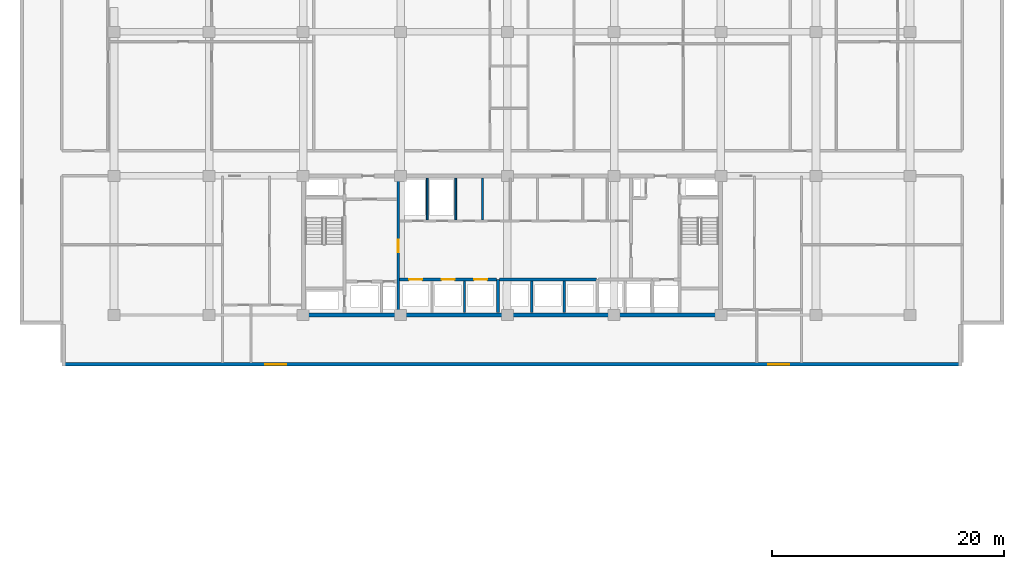
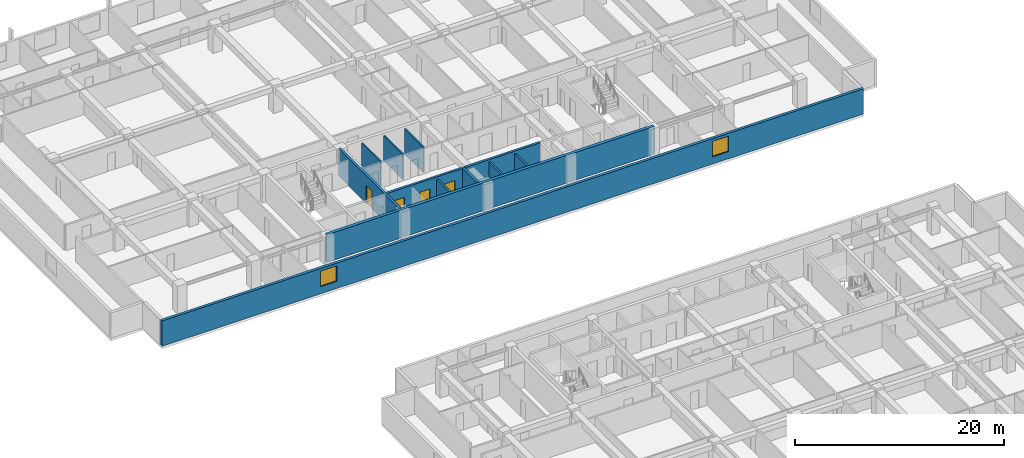
# One storey, part 11 of 23: 12 walls, 4 doors, 2 windows, 6 openings.
"""IFC4 building model written with IfcOpenShell, lengths in metres."""

from ifc_helpers import new_model, si_unit, direction, frame, frame_2d, origin, place, context, subcontext, project, spatial, rectangle, extrude, material, layer, layer_set, type_object, element, fill, save


model = new_model("IFC4")

# Units and contexts
model_context = context("Model", 3, precision=1e-05, world=origin(), true_north=direction((0.0, 1.0)))
body_context = subcontext(model_context, "Body", "Model", "MODEL_VIEW")
ifc_project = project(units=[si_unit("LENGTHUNIT", "METRE"), si_unit("AREAUNIT", "SQUARE_METRE"), si_unit("VOLUMEUNIT", "CUBIC_METRE"), si_unit("PLANEANGLEUNIT", "RADIAN"), si_unit("MASSUNIT", "GRAM", prefix="KILO")], contexts=[model_context])

# Site, building, storey
site_placement = place(None, origin())
site = spatial("IfcSite", under=ifc_project, at=site_placement, CompositionType="ELEMENT")
building_placement = place(site_placement, origin())
building = spatial("IfcBuilding", under=site, at=building_placement, Name="Korimba Cascade Residences", CompositionType="ELEMENT")
storey_placement = place(building_placement, frame((0.0, 0.0, 59.75)))
storey = spatial("IfcBuildingStorey", under=building, at=storey_placement, Name="L16", CompositionType="ELEMENT", Elevation=59.75)

# Wall, openings, windows
ifc_material_1 = material(Name="Precast concrete C40/50", Category="concrete")
ifc_layer_1 = layer(ifc_material_1, 0.300048828125)
ifc_layer_set_1 = layer_set([ifc_layer_1], Name="Precast concrete C40/50")
wall_type_1 = type_object("IfcWallType", Name="EW-STONE-300", PredefinedType="STANDARD", material=ifc_layer_set_1)
wall_1_placement = place(storey_placement, frame((55.300048828125, 50.949951171875, 0.0), z_axis=(0.0, 0.0, 1.0), x_axis=(1.0, 0.0, 0.0)))
wall_1 = element("IfcWall", 1, at=wall_1_placement, inside=storey, type_object=wall_type_1, Name="L16 T1 Perimeter Stone Wall E00", PredefinedType="STANDARD", context=body_context, shape_type="SweptSolid", body=[
    extrude(rectangle(XDim=77.599853515625, YDim=0.300048828125, at=frame_2d((38.7998046875, 0.0))), origin(), (0.0, 0.0, 1.0), 2.969970703125),
])
opening_1_placement = place(wall_1_placement, frame((17.52490234375, 0.0, 0.85009765625)))
opening_1 = element("IfcOpeningElement", 2, at=opening_1_placement, cuts=wall_1, Name="Opening W-02", PredefinedType="OPENING", context=body_context, shape_type="SweptSolid", body=[
    extrude(rectangle(XDim=1.800048828125, YDim=1.800048828125, at=frame_2d((0.89990234375, 0.89990234375))), frame((0.0, 0.16015625, 0.0), z_axis=(0.0, -1.0, 0.0), x_axis=(1.0, 0.0, 0.0)), (0.0, 0.0, 1.0), 0.320068359375),
])
opening_2_placement = place(wall_1_placement, frame((60.875, 0.0, 0.85009765625)))
opening_2 = element("IfcOpeningElement", 3, at=opening_2_placement, cuts=wall_1, Name="Opening W-02", PredefinedType="OPENING", context=body_context, shape_type="SweptSolid", body=[
    extrude(rectangle(XDim=1.800048828125, YDim=1.800048828125, at=frame_2d((0.89990234375, 0.89990234375))), frame((0.0, 0.16015625, 0.0), z_axis=(0.0, -1.0, 0.0), x_axis=(1.0, 0.0, 0.0)), (0.0, 0.0, 1.0), 0.320068359375),
])
ifc_material_2 = material(Name="Double-Glazed Aluminium Window", Category="aluminium")
window_type = type_object("IfcWindowType", Name="WIN-BED-1800", PartitioningType="SINGLE_PANEL", PredefinedType="WINDOW", material=ifc_material_2)
window_1_placement = place(opening_1_placement, origin())
window_1 = element("IfcWindow", 4, at=window_1_placement, inside=storey, type_object=window_type, Name="L16 T1 South Corner Bedroom Window 1", OverallHeight=1.800048828125, OverallWidth=1.800048828125, PartitioningType="SINGLE_PANEL", PredefinedType="WINDOW", context=body_context, shape_type="SweptSolid", body=[
    extrude(rectangle(XDim=1.800048828125, YDim=1.800048828125, at=frame_2d((0.89990234375, 0.89990234375))), frame((0.0, 0.030029296875, 0.0), z_axis=(0.0, -1.0, 0.0), x_axis=(1.0, 0.0, 0.0)), (0.0, 0.0, 1.0), 0.06005859375),
])
fill(opening_1, window_1)
window_2_placement = place(opening_2_placement, origin())
window_2 = element("IfcWindow", 5, at=window_2_placement, inside=storey, type_object=window_type, Name="L16 T1 South Corner Bedroom Window 2", OverallHeight=1.800048828125, OverallWidth=1.800048828125, PartitioningType="SINGLE_PANEL", PredefinedType="WINDOW", context=body_context, shape_type="SweptSolid", body=[
    extrude(rectangle(XDim=1.800048828125, YDim=1.800048828125, at=frame_2d((0.89990234375, 0.89990234375))), frame((0.0, 0.030029296875, 0.0), z_axis=(0.0, -1.0, 0.0), x_axis=(1.0, 0.0, 0.0)), (0.0, 0.0, 1.0), 0.06005859375),
])
fill(opening_2, window_2)

# Walls
ifc_material_3 = material(Name="Concrete C65/80", Category="concrete")
ifc_layer_2 = layer(ifc_material_3, 0.35009765625)
ifc_layer_set_2 = layer_set([ifc_layer_2], Name="Concrete C65/80")
wall_type_2 = type_object("IfcWallType", Name="WAL-CORE-350", PredefinedType="SHEAR", material=ifc_layer_set_2)
wall_2_placement = place(storey_placement, frame((75.949951171875, 55.199951171875, 0.0), z_axis=(0.0, 0.0, 1.0), x_axis=(1.0, 0.0, 0.0)))
element("IfcWall", 6, at=wall_2_placement, inside=storey, type_object=wall_type_2, Name="L16 Core Shear Wall CW-L16-T1-S", PredefinedType="SHEAR", context=body_context, shape_type="SweptSolid", body=[
    extrude(rectangle(XDim=36.300048828125, YDim=0.35009765625, at=frame_2d((18.14990234375, 0.0))), origin(), (0.0, 0.0, 1.0), 3.25),
])
ifc_material_4 = material(Name="Insulated Acoustic Stud Partition", Category="gypsum")
ifc_layer_3 = layer(ifc_material_4, 0.14990234375)
ifc_layer_set_3 = layer_set([ifc_layer_3], Name="Insulated Acoustic Stud Partition")
wall_type_3 = type_object("IfcWallType", Name="WAL-PART-150", PredefinedType="PARTITIONING", material=ifc_layer_set_3)
for number, where, z_axis, x_axis, name in (
    (7, (86.800048828125, 63.39990234375, 0.0), (0.0, 0.0, 1.0), (0.0, 1.0, 0.0), "L16 Partition Wall CW-L16-T1-ERDIV"),
    (8, (89.25, 63.39990234375, 0.0), (0.0, 0.0, 1.0), (0.0, 1.0, 0.0), "L16 Partition Wall CW-L16-T1-PRDIV"),
    (9, (91.550048828125, 63.39990234375, 0.0), (0.0, 0.0, 1.0), (0.0, 1.0, 0.0), "L16 Partition Wall CW-L16-T1-CA1W1"),
):
    element("IfcWall", number, at=place(storey_placement, frame(where, z_axis=z_axis, x_axis=x_axis)), inside=storey, type_object=wall_type_3, Name=name, PredefinedType="PARTITIONING", context=body_context, shape_type="SweptSolid", body=[
        extrude(rectangle(XDim=3.60009765625, YDim=0.14990234375, at=frame_2d((1.800048828125, 0.0))), origin(), (0.0, 0.0, 1.0), 2.969970703125),
    ])
ifc_material_5 = material(Name="Concrete C40/50", Category="concrete")
ifc_layer_4 = layer(ifc_material_5, 0.199951171875)
ifc_layer_set_4 = layer_set([ifc_layer_4], Name="Concrete C40/50")
wall_type_4 = type_object("IfcWallType", Name="WAL-PART-200", PredefinedType="PARTITIONING", material=ifc_layer_set_4)
for number, where, z_axis, x_axis, name in (
    (10, (90.0, 55.39990234375, 0.0), (0.0, 0.0, 1.0), (0.0, 1.0, 0.0), "L16 Partition Wall CW-L16-T1-B1D2"),
    (11, (95.800048828125, 55.39990234375, 0.0), (0.0, 0.0, 1.0), (0.0, 1.0, 0.0), "L16 Partition Wall CW-L16-T1-B2D1"),
    (12, (98.60009765625, 55.39990234375, 0.0), (0.0, 0.0, 1.0), (0.0, 1.0, 0.0), "L16 Partition Wall CW-L16-T1-B2D2"),
):
    element("IfcWall", number, at=place(storey_placement, frame(where, z_axis=z_axis, x_axis=x_axis)), inside=storey, type_object=wall_type_4, Name=name, PredefinedType="PARTITIONING", context=body_context, shape_type="SweptSolid", body=[
        extrude(rectangle(XDim=2.72021484375, YDim=0.199951171875, at=frame_2d((1.360107421875, 0.0))), origin(), (0.0, 0.0, 1.0), 2.969970703125),
    ])

# Wall, opening, door
ifc_material_6 = material(Name="Concrete C50/60", Category="concrete")
ifc_layer_5 = layer(ifc_material_6, 0.25)
ifc_layer_set_5 = layer_set([ifc_layer_5], Name="Concrete C50/60")
wall_type_5 = type_object("IfcWallType", Name="WAL-SHAFT-250", PredefinedType="SHEAR", material=ifc_layer_set_5)
wall_3_placement = place(storey_placement, frame((84.300048828125, 55.39990234375, 0.0), z_axis=(0.0, 0.0, 1.0), x_axis=(0.0, 1.0, 0.0)))
wall_3 = element("IfcWall", 13, at=wall_3_placement, inside=storey, type_object=wall_type_5, Name="L16 Core Shear Wall CW-L16-T1-FFLE", PredefinedType="SHEAR", context=body_context, shape_type="SweptSolid", body=[
    extrude(rectangle(XDim=11.60009765625, YDim=0.25, at=frame_2d((5.800048828125, 0.0))), origin(), (0.0, 0.0, 1.0), 3.25),
])
opening_3_placement = place(wall_3_placement, frame((5.199951171875, 0.0, 0.0)))
opening_3 = element("IfcOpeningElement", 14, at=opening_3_placement, cuts=wall_3, Name="Opening D-FD1", PredefinedType="OPENING", context=body_context, shape_type="SweptSolid", body=[
    extrude(rectangle(XDim=1.10009765625, YDim=2.10009765625, at=frame_2d((0.550048828125, 1.050048828125))), frame((0.0, 0.135009765625, 0.0), z_axis=(0.0, -1.0, 0.0), x_axis=(1.0, 0.0, 0.0)), (0.0, 0.0, 1.0), 0.27001953125),
])
ifc_material_7 = material(Name="Fire-Rated Steel Core Door", Category="steel")
door_type_1 = type_object("IfcDoorType", Name="DR-FD120-1100", OperationType="NOTDEFINED", PredefinedType="DOOR", material=ifc_material_7)
door_1_placement = place(opening_3_placement, origin())
door_1 = element("IfcDoor", 15, at=door_1_placement, inside=storey, type_object=door_type_1, Name="L16 Firefighting Lobby to Lift Lobby Door", OperationType="SINGLE_SWING_RIGHT", OverallHeight=2.10009765625, OverallWidth=1.10009765625, PredefinedType="DOOR", context=body_context, shape_type="SweptSolid", body=[
    extrude(rectangle(XDim=1.10009765625, YDim=2.10009765625, at=frame_2d((0.550048828125, 1.050048828125))), frame((0.0, 0.02490234375, 0.0), z_axis=(0.0, -1.0, 0.0), x_axis=(1.0, 0.0, 0.0)), (0.0, 0.0, 1.0), 0.050048828125),
])
fill(opening_3, door_1)

# Wall, openings, doors
wall_4_placement = place(storey_placement, frame((84.419921875, 58.25, 0.0), z_axis=(0.0, 0.0, 1.0), x_axis=(1.0, 0.0, 0.0)))
wall_4 = element("IfcWall", 16, at=wall_4_placement, inside=storey, type_object=wall_type_5, Name="L16 Core Shear Wall CW-L16-T1-B1N", PredefinedType="SHEAR", context=body_context, shape_type="SweptSolid", body=[
    extrude(rectangle(XDim=8.360107421875, YDim=0.25, at=frame_2d((4.18017578125, 0.0))), origin(), (0.0, 0.0, 1.0), 3.25),
])
opening_4_placement = place(wall_4_placement, frame((0.820068359375, 0.0, 0.0)))
opening_4 = element("IfcOpeningElement", 17, at=opening_4_placement, cuts=wall_4, Name="Opening LD-01", PredefinedType="OPENING", context=body_context, shape_type="SweptSolid", body=[
    extrude(rectangle(XDim=1.1201171875, YDim=2.1201171875, at=frame_2d((0.56005859375, 1.06005859375))), frame((0.0, 0.135009765625, 0.0), z_axis=(0.0, -1.0, 0.0), x_axis=(1.0, 0.0, 0.0)), (0.0, 0.0, 1.0), 0.27001953125),
])
opening_5_placement = place(wall_4_placement, frame((3.6201171875, 0.0, 0.0)))
opening_5 = element("IfcOpeningElement", 18, at=opening_5_placement, cuts=wall_4, Name="Opening LD-01", PredefinedType="OPENING", context=body_context, shape_type="SweptSolid", body=[
    extrude(rectangle(XDim=1.1201171875, YDim=2.1201171875, at=frame_2d((0.56005859375, 1.06005859375))), frame((0.0, 0.135009765625, 0.0), z_axis=(0.0, -1.0, 0.0), x_axis=(1.0, 0.0, 0.0)), (0.0, 0.0, 1.0), 0.27001953125),
])
opening_6_placement = place(wall_4_placement, frame((6.419921875, 0.0, 0.0)))
opening_6 = element("IfcOpeningElement", 19, at=opening_6_placement, cuts=wall_4, Name="Opening LD-01", PredefinedType="OPENING", context=body_context, shape_type="SweptSolid", body=[
    extrude(rectangle(XDim=1.1201171875, YDim=2.1201171875, at=frame_2d((0.56005859375, 1.06005859375))), frame((0.0, 0.135009765625, 0.0), z_axis=(0.0, -1.0, 0.0), x_axis=(1.0, 0.0, 0.0)), (0.0, 0.0, 1.0), 0.27001953125),
])
ifc_material_8 = material(Name="Stainless Steel Lift Landing Sliding Door", Category="steel")
door_type_2 = type_object("IfcDoorType", Name="DR-LIFT-1100", OperationType="NOTDEFINED", PredefinedType="DOOR", material=ifc_material_8)
door_2_placement = place(opening_4_placement, origin())
door_2 = element("IfcDoor", 20, at=door_2_placement, inside=storey, type_object=door_type_2, Name="L16 Lift Landing Door PL-W1", OperationType="SLIDING_TO_LEFT", OverallHeight=2.1201171875, OverallWidth=1.1201171875, PredefinedType="DOOR", context=body_context, shape_type="SweptSolid", body=[
    extrude(rectangle(XDim=1.1201171875, YDim=2.1201171875, at=frame_2d((0.56005859375, 1.06005859375))), frame((0.0, 0.02490234375, 0.0), z_axis=(0.0, -1.0, 0.0), x_axis=(1.0, 0.0, 0.0)), (0.0, 0.0, 1.0), 0.050048828125),
])
fill(opening_4, door_2)
door_3_placement = place(opening_5_placement, origin())
door_3 = element("IfcDoor", 21, at=door_3_placement, inside=storey, type_object=door_type_2, Name="L16 Lift Landing Door PL-W2", OperationType="SLIDING_TO_LEFT", OverallHeight=2.1201171875, OverallWidth=1.1201171875, PredefinedType="DOOR", context=body_context, shape_type="SweptSolid", body=[
    extrude(rectangle(XDim=1.1201171875, YDim=2.1201171875, at=frame_2d((0.56005859375, 1.06005859375))), frame((0.0, 0.02490234375, 0.0), z_axis=(0.0, -1.0, 0.0), x_axis=(1.0, 0.0, 0.0)), (0.0, 0.0, 1.0), 0.050048828125),
])
fill(opening_5, door_3)
door_4_placement = place(opening_6_placement, origin())
door_4 = element("IfcDoor", 22, at=door_4_placement, inside=storey, type_object=door_type_2, Name="L16 Lift Landing Door PL-W3", OperationType="SLIDING_TO_LEFT", OverallHeight=2.1201171875, OverallWidth=1.1201171875, PredefinedType="DOOR", context=body_context, shape_type="SweptSolid", body=[
    extrude(rectangle(XDim=1.1201171875, YDim=2.1201171875, at=frame_2d((0.56005859375, 1.06005859375))), frame((0.0, 0.02490234375, 0.0), z_axis=(0.0, -1.0, 0.0), x_axis=(1.0, 0.0, 0.0)), (0.0, 0.0, 1.0), 0.050048828125),
])
fill(opening_6, door_4)

# Walls
wall_5_placement = place(storey_placement, frame((92.89990234375, 55.39990234375, 0.0), z_axis=(0.0, 0.0, 1.0), x_axis=(0.0, 1.0, 0.0)))
element("IfcWall", 23, at=wall_5_placement, inside=storey, type_object=wall_type_5, Name="L16 Core Shear Wall CW-L16-T1-B12DIV", PredefinedType="SHEAR", context=body_context, shape_type="SweptSolid", body=[
    extrude(rectangle(XDim=2.85009765625, YDim=0.25, at=frame_2d((1.425048828125, 0.0))), origin(), (0.0, 0.0, 1.0), 3.25),
])
wall_6_placement = place(storey_placement, frame((93.02001953125, 58.25, 0.0), z_axis=(0.0, 0.0, 1.0), x_axis=(1.0, 0.0, 0.0)))
element("IfcWall", 24, at=wall_6_placement, inside=storey, type_object=wall_type_5, Name="L16 Core Shear Wall CW-L16-T1-B2N", PredefinedType="SHEAR", context=body_context, shape_type="SweptSolid", body=[
    extrude(rectangle(XDim=8.35986328125, YDim=0.25, at=frame_2d((4.179931640625, 0.0))), origin(), (0.0, 0.0, 1.0), 3.25),
])

save(model, "model.ifc")
